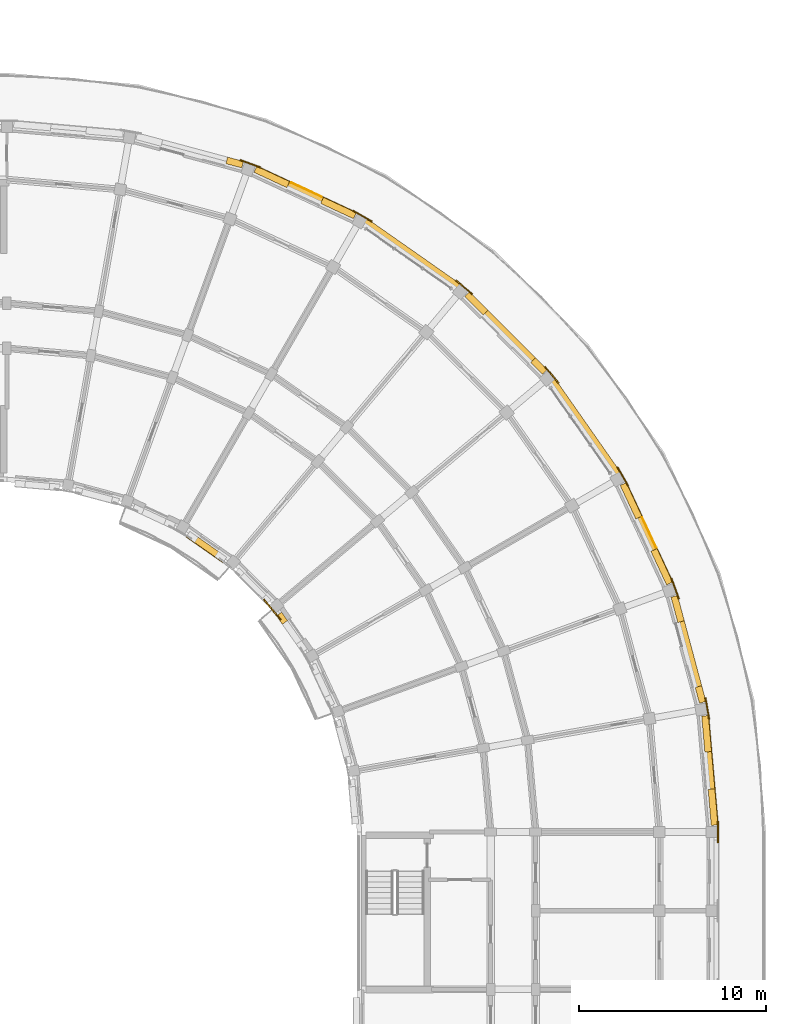
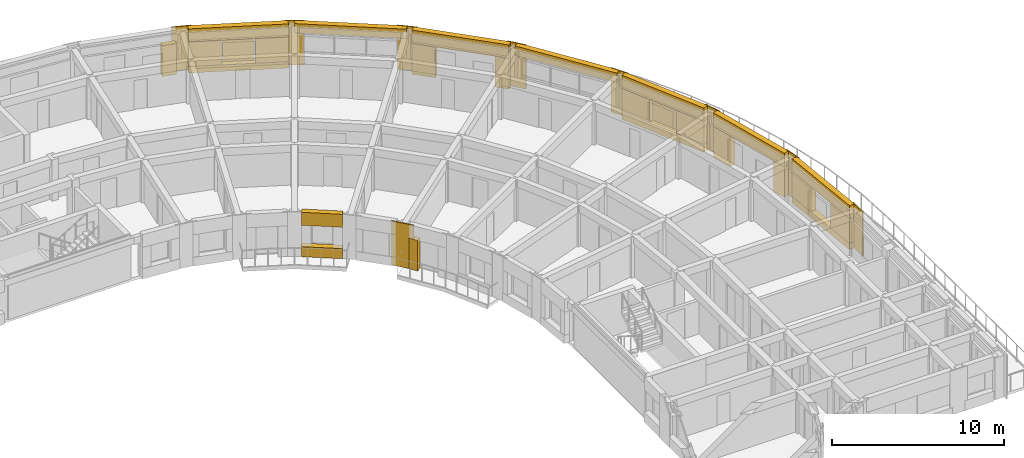
# One storey, part 36 of 36: 33 coverings, 2 shading devices.
"""IFC4 building model written with IfcOpenShell, lengths in metres."""

import ifcopenshell
import ifcopenshell.guid

model = None  # the IFC model being written
_history = None  # IfcOwnerHistory: only IFC2X3 demands one
_inside = {}  # id of a spatial element -> (the spatial element, [elements in it])
_under = {}  # id of a project, library or spatial element -> (it, [spatial elements below it])
_declared = {}  # id of a project -> (the project, [libraries it declares])
_typed = {}  # id of a type object -> (the type object, [elements of that type])
_made_of = {}  # id of a material, layer set ... -> (it, [elements and type objects made of it])


def new_model(schema):
    """Start an empty IFC model of exactly this schema.

    Asked for "IFC4X3", IfcOpenShell would pick the latest addendum, in which some entities
    have other attributes; the version numbers below select the first issue.
    IFC2X3 requires an IfcOwnerHistory on every rooted entity: one is made here for all.
    """
    global model, _history
    if schema == "IFC4X3":
        model = ifcopenshell.file(schema_version=(4, 3, 0, 0))
    else:
        model = ifcopenshell.file(schema=schema)
    _inside.clear()
    _under.clear()
    _declared.clear()
    _typed.clear()
    _made_of.clear()
    _history = None
    if model.schema == "IFC2X3":
        org = make("IfcOrganization", Name="unknown")
        user = make(
            "IfcPersonAndOrganization",
            ThePerson=make("IfcPerson", FamilyName="unknown"),
            TheOrganization=org,
        )
        app = make(
            "IfcApplication",
            ApplicationDeveloper=org,
            Version="unknown",
            ApplicationFullName="unknown",
            ApplicationIdentifier="unknown",
        )
        _history = make(
            "IfcOwnerHistory",
            OwningUser=user,
            OwningApplication=app,
            ChangeAction="ADDED",
            CreationDate=0,
        )
    return model


def make(cls, **values):
    """One entity of the class cls with the attributes given. An attribute that is None is left unset."""
    return model.create_entity(
        cls, **{name: value for name, value in values.items() if value is not None}
    )


def rooted(cls, **values):
    """An entity with a GlobalId (a new one), such as an element, a storey or a relation."""
    return make(cls, GlobalId=ifcopenshell.guid.new(), OwnerHistory=_history, **values)


def si_unit(unit_type, name, prefix=None):
    """IfcSIUnit, for example si_unit("LENGTHUNIT", "METRE", prefix="MILLI")."""
    return make("IfcSIUnit", UnitType=unit_type, Prefix=prefix, Name=name)


def assignment(units):
    """IfcUnitAssignment: the units of a project."""
    return None if units is None else make("IfcUnitAssignment", Units=units)


def point(xyz):
    """IfcCartesianPoint."""
    return None if xyz is None else make("IfcCartesianPoint", Coordinates=xyz)


def direction(xyz):
    """IfcDirection."""
    return None if xyz is None else make("IfcDirection", DirectionRatios=xyz)


def frame(location, z_axis=None, x_axis=None):
    """IfcAxis2Placement3D, a coordinate frame: its origin and axes. An axis left out is left unset."""
    return make(
        "IfcAxis2Placement3D",
        Location=point(location),
        Axis=direction(z_axis),
        RefDirection=direction(x_axis),
    )


def frame_2d(location, x_axis=None):
    """IfcAxis2Placement2D, a coordinate frame in the plane: its origin and x axis."""
    return make(
        "IfcAxis2Placement2D", Location=point(location), RefDirection=direction(x_axis)
    )


def origin():
    """The frame at (0, 0, 0) with its axes left unset."""
    return frame((0.0, 0.0, 0.0))


def origin_2d():
    """The frame at (0, 0) in the plane with its x axis left unset."""
    return frame_2d((0.0, 0.0))


def place(relative_to, where):
    """IfcLocalPlacement: puts the frame where relative to a parent placement (None: the world)."""
    return make(
        "IfcLocalPlacement", PlacementRelTo=relative_to, RelativePlacement=where
    )


def context(
    kind, dimensions, precision=None, world=None, true_north=None, identifier=None
):
    """IfcGeometricRepresentationContext, for example the 3D "Model" context."""
    return make(
        "IfcGeometricRepresentationContext",
        ContextIdentifier=identifier,
        ContextType=kind,
        CoordinateSpaceDimension=dimensions,
        Precision=precision,
        WorldCoordinateSystem=world,
        TrueNorth=true_north,
    )


def subcontext(parent, identifier, kind, view, scale=None):
    """IfcGeometricRepresentationSubContext, for example "Body" below "Model"."""
    return make(
        "IfcGeometricRepresentationSubContext",
        ContextIdentifier=identifier,
        ContextType=kind,
        ParentContext=parent,
        TargetScale=scale,
        TargetView=view,
    )


def project(units=None, contexts=None):
    """IfcProject with its units and contexts."""
    return rooted(
        "IfcProject",
        Name="project",
        RepresentationContexts=contexts,
        UnitsInContext=assignment(units),
    )


def spatial(cls, under=None, at=None, **own):
    """A site, building, storey or space (cls), placed at a placement, below another one or the project."""
    s = rooted(cls, ObjectPlacement=at, **own)
    if under is not None:
        _under.setdefault(under.id(), (under, []))[1].append(s)
    return s


def polyline(points):
    """IfcPolyline through the points."""
    return make("IfcPolyline", Points=[point(p) for p in points])


def profile(cls, at=None, kind="AREA", **sizes):
    """A parametric profile (cls). Its sizes go by their IFC names, for example OverallWidth=200.0."""
    return make(cls, ProfileType=kind, Position=at, **sizes)


def rectangle(**sizes):
    """IfcRectangleProfileDef."""
    return profile("IfcRectangleProfileDef", **sizes)


def outline(outer, holes=None, kind="AREA"):
    """IfcArbitraryClosedProfileDef: a profile drawn as a closed curve; with holes, ...WithVoids."""
    if holes is None:
        return make("IfcArbitraryClosedProfileDef", ProfileType=kind, OuterCurve=outer)
    return make(
        "IfcArbitraryProfileDefWithVoids",
        ProfileType=kind,
        OuterCurve=outer,
        InnerCurves=holes,
    )


def extrude(swept, where, along, depth):
    """IfcExtrudedAreaSolid: the profile swept, set in the frame where, extruded along a direction by depth."""
    return make(
        "IfcExtrudedAreaSolid",
        SweptArea=swept,
        Position=where,
        ExtrudedDirection=direction(along),
        Depth=depth,
    )


def shape(context_of_items, identifier, shape_type, items):
    """IfcShapeRepresentation: the items that make up one representation, for example the "Body"."""
    return make(
        "IfcShapeRepresentation",
        ContextOfItems=context_of_items,
        RepresentationIdentifier=identifier,
        RepresentationType=shape_type,
        Items=items,
    )


def material(Name=None, Category=None):
    """IfcMaterial."""
    return make("IfcMaterial", Name=Name, Category=Category)


def layer(
    of_material, thickness, ventilated=None, Name=None, Category=None, Priority=None
):
    """IfcMaterialLayer: one layer of a wall or slab, of a material (None: an air gap)."""
    return make(
        "IfcMaterialLayer",
        Material=of_material,
        LayerThickness=thickness,
        IsVentilated=ventilated,
        Name=Name,
        Category=Category,
        Priority=Priority,
    )


def layer_set(layers, Name=None):
    """IfcMaterialLayerSet."""
    return make("IfcMaterialLayerSet", MaterialLayers=layers, LayerSetName=Name)


def made_of(thing, what):
    """Note that an element or type object is made of a material, layer set ...; save() writes the relation."""
    if what is not None:
        _made_of.setdefault(what.id(), (what, []))[1].append(thing)
    return thing


def type_object(cls, material=None, **own):
    """A type object (cls), such as IfcWallType, which elements share."""
    return made_of(rooted(cls, **own), material)


def element(
    cls,
    number,
    at=None,
    inside=None,
    cuts=None,
    type_object=None,
    material=None,
    context=None,
    identifier="Body",
    shape_type=None,
    held_by="IfcProductDefinitionShape",
    body=None,
    shapes=None,
    **own,
):
    """One element of the class cls, such as IfcWall. Its Tag is "e" and its number.

    at: its placement. inside: the storey or other place that contains it. cuts: it is an
    opening in that element (IfcRelVoidsElement). A single representation is given by context,
    identifier, shape_type and body (its items); several are given by shapes. held_by: the class
    of the entity that holds the representations. save() writes the other relations.
    """
    e = rooted(cls, Tag="e%d" % number, ObjectPlacement=at, **own)
    if body is not None:
        shapes = [shape(context, identifier, shape_type, body)]
    if shapes is not None:
        e.Representation = make(held_by, Representations=shapes)
    if inside is not None:
        _inside.setdefault(inside.id(), (inside, []))[1].append(e)
    if cuts is not None:
        rooted(
            "IfcRelVoidsElement", RelatingBuildingElement=cuts, RelatedOpeningElement=e
        )
    if type_object is not None:
        _typed.setdefault(type_object.id(), (type_object, []))[1].append(e)
    return made_of(e, material)


def aggregate(whole, parts):
    """IfcRelAggregates: a whole, such as a stair, and the parts it consists of."""
    return rooted("IfcRelAggregates", RelatingObject=whole, RelatedObjects=parts)


def save(model, path):
    """Write the relations noted so far, then the file.

    IfcRelAggregates (storeys below a building ...), IfcRelContainedInSpatialStructure (elements
    in a storey), IfcRelDefinesByType, IfcRelAssociatesMaterial and IfcRelDeclares: one each for
    every whole, place, type object, material and project.
    """
    for whole, parts in _under.values():
        aggregate(whole, parts)
    for where, things in _inside.values():
        rooted(
            "IfcRelContainedInSpatialStructure",
            RelatedElements=things,
            RelatingStructure=where,
        )
    for kind, things in _typed.values():
        rooted("IfcRelDefinesByType", RelatedObjects=things, RelatingType=kind)
    for what, things in _made_of.values():
        rooted("IfcRelAssociatesMaterial", RelatedObjects=things, RelatingMaterial=what)
    for by, libraries in _declared.values():
        rooted("IfcRelDeclares", RelatingContext=by, RelatedDefinitions=libraries)
    model.write(path)


model = new_model("IFC4")

# Units and contexts
model_context = context("Model", 3, precision=1e-05, world=origin(), true_north=direction((0.0, 1.0)))
body_context = subcontext(model_context, "Body", "Model", "MODEL_VIEW")
ifc_project = project(units=[si_unit("LENGTHUNIT", "METRE"), si_unit("AREAUNIT", "SQUARE_METRE"), si_unit("VOLUMEUNIT", "CUBIC_METRE"), si_unit("PLANEANGLEUNIT", "RADIAN"), si_unit("MASSUNIT", "GRAM", prefix="KILO")], contexts=[model_context])

# Site, building, storey
site_placement = place(None, origin())
site = spatial("IfcSite", under=ifc_project, at=site_placement, CompositionType="ELEMENT")
building_placement = place(site_placement, origin())
building = spatial("IfcBuilding", under=site, at=building_placement, Name="Kiranvali Square Residences", CompositionType="ELEMENT")
storey_placement = place(building_placement, frame((0.0, 0.0, 37.050048828125)))
storey = spatial("IfcBuildingStorey", under=building, at=storey_placement, Name="L11", CompositionType="ELEMENT", Elevation=37.050048828125)

# Coverings
ifc_material_1 = material(Name="Honed Porbandar limestone ashlar facade cladding", Category="masonry")
ifc_layer_1 = layer(ifc_material_1, 0.3798828125)
ifc_layer_set_1 = layer_set([ifc_layer_1], Name="Honed Porbandar limestone ashlar facade cladding")
covering_type_1 = type_object("IfcCoveringType", Name="COV-CLAD-JAMB", PredefinedType="CLADDING", material=ifc_layer_set_1)
covering_1_placement = place(storey_placement, origin())
element("IfcCovering", 1, at=covering_1_placement, inside=storey, type_object=covering_type_1, Name="L11 deep limestone window jamb reveal B-L11-CRV-01.R", PredefinedType="CLADDING", context=body_context, shape_type="SweptSolid", body=[
    extrude(outline(polyline([(131.479736328125, 123.44921875), (132.322021484375, 123.223388671875), (132.4150390625, 123.57080078125), (131.57275390625, 123.79638671875), (131.479736328125, 123.44921875)])), origin(), (0.0, 0.0, 1.0), 2.179931640625),
])
covering_2_placement = place(storey_placement, frame((0.0, 0.0, 0.4619140625)))
element("IfcCovering", 2, at=covering_2_placement, inside=storey, type_object=covering_type_1, Name="L11 deep limestone window jamb reveal B-L11-CRV-02.L", PredefinedType="CLADDING", context=body_context, shape_type="SweptSolid", body=[
    extrude(outline(polyline([(132.977294921875, 122.98486328125), (134.723876953125, 122.170654296875), (134.875732421875, 122.496337890625), (133.12939453125, 123.310791015625), (132.977294921875, 122.98486328125)])), origin(), (0.0, 0.0, 1.0), 1.75),
])
covering_3_placement = place(storey_placement, frame((0.0, 0.0, 0.4619140625)))
element("IfcCovering", 3, at=covering_3_placement, inside=storey, type_object=covering_type_1, Name="L11 deep limestone window jamb reveal B-L11-CRV-02.R", PredefinedType="CLADDING", context=body_context, shape_type="SweptSolid", body=[
    extrude(outline(polyline([(136.53662109375, 121.325439453125), (138.282958984375, 120.510986328125), (138.434814453125, 120.836669921875), (136.6884765625, 121.651123046875), (136.53662109375, 121.325439453125)])), origin(), (0.0, 0.0, 1.0), 1.75),
])
covering_4_placement = place(storey_placement, origin())
element("IfcCovering", 4, at=covering_4_placement, inside=storey, type_object=covering_type_1, Name="L11 deep limestone window jamb reveal B-L11-CRV-04.L", PredefinedType="CLADDING", context=body_context, shape_type="SweptSolid", body=[
    extrude(outline(polyline([(144.216552734375, 116.356201171875), (145.205810546875, 115.366943359375), (145.4599609375, 115.62109375), (144.470947265625, 116.6103515625), (144.216552734375, 116.356201171875)])), origin(), (0.0, 0.0, 1.0), 2.179931640625),
])
covering_5_placement = place(storey_placement, origin())
element("IfcCovering", 5, at=covering_5_placement, inside=storey, type_object=covering_type_1, Name="L11 deep limestone window jamb reveal B-L11-CRV-04.R", PredefinedType="CLADDING", context=body_context, shape_type="SweptSolid", body=[
    extrude(outline(polyline([(147.739501953125, 112.833251953125), (148.356201171875, 112.216552734375), (148.6103515625, 112.470947265625), (147.99365234375, 113.08740234375), (147.739501953125, 112.833251953125)])), origin(), (0.0, 0.0, 1.0), 2.179931640625),
])
covering_6_placement = place(storey_placement, frame((0.0, 0.0, 0.56201171875)))
element("IfcCovering", 6, at=covering_6_placement, inside=storey, type_object=covering_type_1, Name="L11 deep limestone window jamb reveal B-L11-CRV-06.L", PredefinedType="CLADDING", context=body_context, shape_type="SweptSolid", body=[
    extrude(outline(polyline([(152.510986328125, 106.282958984375), (153.346435546875, 104.4912109375), (153.67236328125, 104.64306640625), (152.836669921875, 106.434814453125), (152.510986328125, 106.282958984375)])), origin(), (0.0, 0.0, 1.0), 1.64990234375),
])
covering_7_placement = place(storey_placement, frame((0.0, 0.0, 0.56201171875)))
element("IfcCovering", 7, at=covering_7_placement, inside=storey, type_object=covering_type_1, Name="L11 deep limestone window jamb reveal B-L11-CRV-06.R", PredefinedType="CLADDING", context=body_context, shape_type="SweptSolid", body=[
    extrude(outline(polyline([(154.1494140625, 102.769287109375), (154.98486328125, 100.977294921875), (155.310791015625, 101.12939453125), (154.475341796875, 102.921142578125), (154.1494140625, 102.769287109375)])), origin(), (0.0, 0.0, 1.0), 1.64990234375),
])
covering_8_placement = place(storey_placement, origin())
element("IfcCovering", 8, at=covering_8_placement, inside=storey, type_object=covering_type_1, Name="L11 deep limestone window jamb reveal B-L11-CRV-07.L", PredefinedType="CLADDING", context=body_context, shape_type="SweptSolid", body=[
    extrude(outline(polyline([(155.223388671875, 100.322021484375), (155.585693359375, 98.970703125), (155.932861328125, 99.063720703125), (155.57080078125, 100.4150390625), (155.223388671875, 100.322021484375)])), origin(), (0.0, 0.0, 1.0), 2.179931640625),
])
covering_9_placement = place(storey_placement, origin())
element("IfcCovering", 9, at=covering_9_placement, inside=storey, type_object=covering_type_1, Name="L11 deep limestone window jamb reveal B-L11-CRV-07.R", PredefinedType="CLADDING", context=body_context, shape_type="SweptSolid", body=[
    extrude(outline(polyline([(156.512939453125, 95.509765625), (156.73876953125, 94.66748046875), (157.0859375, 94.760498046875), (156.860107421875, 95.602783203125), (156.512939453125, 95.509765625)])), origin(), (0.0, 0.0, 1.0), 2.179931640625),
])
covering_10_placement = place(storey_placement, frame((0.0, 0.0, 0.4619140625)))
element("IfcCovering", 10, at=covering_10_placement, inside=storey, type_object=covering_type_1, Name="L11 deep limestone window jamb reveal B-L11-CRV-08.L", PredefinedType="CLADDING", context=body_context, shape_type="SweptSolid", body=[
    extrude(outline(polyline([(156.85986328125, 93.98046875), (157.02783203125, 92.060791015625), (157.3857421875, 92.092041015625), (157.218017578125, 94.011962890625), (156.85986328125, 93.98046875)])), origin(), (0.0, 0.0, 1.0), 1.75),
])
covering_11_placement = place(storey_placement, frame((0.0, 0.0, 0.4619140625)))
element("IfcCovering", 11, at=covering_11_placement, inside=storey, type_object=covering_type_1, Name="L11 deep limestone window jamb reveal B-L11-CRV-08.R", PredefinedType="CLADDING", context=body_context, shape_type="SweptSolid", body=[
    extrude(outline(polyline([(157.2021484375, 90.068359375), (157.369873046875, 88.148681640625), (157.72802734375, 88.179931640625), (157.56005859375, 90.099853515625), (157.2021484375, 90.068359375)])), origin(), (0.0, 0.0, 1.0), 1.75),
])
covering_12_placement = place(storey_placement, origin())
element("IfcCovering", 12, at=covering_12_placement, inside=storey, type_object=covering_type_1, Name="L11 deep limestone window jamb reveal B-L11-GDN-05.L", PredefinedType="CLADDING", context=body_context, shape_type="SweptSolid", body=[
    extrude(outline(polyline([(134.175537109375, 99.328857421875), (134.490234375, 98.879638671875), (134.768310546875, 99.074462890625), (134.45361328125, 99.523681640625), (134.175537109375, 99.328857421875)])), origin(), (0.0, 0.0, 1.0), 2.179931640625),
])
ifc_layer_2 = layer(ifc_material_1, 0.06494140625)
ifc_layer_set_2 = layer_set([ifc_layer_2], Name="Honed Porbandar limestone ashlar facade cladding")
covering_type_2 = type_object("IfcCoveringType", Name="COV-CLAD-PIER", PredefinedType="CLADDING", material=ifc_layer_set_2)
covering_13_placement = place(storey_placement, frame((0.0, 0.0, 0.0048828125)))
element("IfcCovering", 13, at=covering_13_placement, inside=storey, type_object=covering_type_2, Name="L11 Classical limestone corner pilaster CLAD-PR-B-L11-A02", PredefinedType="CLADDING", context=body_context, shape_type="SweptSolid", body=[
    extrude(outline(polyline([(133.330810546875, 123.27978515625), (132.24072265625, 123.676513671875), (132.2177734375, 123.61328125), (133.307861328125, 123.216552734375), (133.330810546875, 123.27978515625)])), origin(), (0.0, 0.0, 1.0), 3.14013671875),
])
covering_14_placement = place(storey_placement, frame((0.0, 0.0, 0.0048828125)))
element("IfcCovering", 14, at=covering_14_placement, inside=storey, type_object=covering_type_2, Name="L11 Classical limestone corner pilaster CLAD-PR-B-L11-A03", PredefinedType="CLADDING", context=body_context, shape_type="SweptSolid", body=[
    extrude(outline(polyline([(139.286376953125, 120.391357421875), (138.28173828125, 120.97119140625), (138.248046875, 120.912841796875), (139.25244140625, 120.332763671875), (139.286376953125, 120.391357421875)])), origin(), (0.0, 0.0, 1.0), 3.14013671875),
])
covering_15_placement = place(storey_placement, frame((0.0, 0.0, 0.0048828125)))
element("IfcCovering", 15, at=covering_15_placement, inside=storey, type_object=covering_type_2, Name="L11 Classical limestone corner pilaster CLAD-PR-B-L11-A04", PredefinedType="CLADDING", context=body_context, shape_type="SweptSolid", body=[
    extrude(outline(polyline([(144.649658203125, 116.512451171875), (143.760986328125, 117.258056640625), (143.7177734375, 117.206298828125), (144.606201171875, 116.460693359375), (144.649658203125, 116.512451171875)])), origin(), (0.0, 0.0, 1.0), 3.14013671875),
])
covering_16_placement = place(storey_placement, frame((0.0, 0.0, 0.0048828125)))
element("IfcCovering", 16, at=covering_16_placement, inside=storey, type_object=covering_type_2, Name="L11 Classical limestone corner pilaster CLAD-PR-B-L11-A05", PredefinedType="CLADDING", context=body_context, shape_type="SweptSolid", body=[
    extrude(outline(polyline([(149.258056640625, 111.760986328125), (148.512451171875, 112.649658203125), (148.460693359375, 112.606201171875), (149.206298828125, 111.7177734375), (149.258056640625, 111.760986328125)])), origin(), (0.0, 0.0, 1.0), 3.14013671875),
])
covering_17_placement = place(storey_placement, frame((0.0, 0.0, 0.0048828125)))
element("IfcCovering", 17, at=covering_17_placement, inside=storey, type_object=covering_type_2, Name="L11 Classical limestone corner pilaster CLAD-PR-B-L11-A06", PredefinedType="CLADDING", context=body_context, shape_type="SweptSolid", body=[
    extrude(outline(polyline([(152.97119140625, 106.28173828125), (152.391357421875, 107.286376953125), (152.332763671875, 107.25244140625), (152.912841796875, 106.248046875), (152.97119140625, 106.28173828125)])), origin(), (0.0, 0.0, 1.0), 3.14013671875),
])
covering_18_placement = place(storey_placement, frame((0.0, 0.0, 0.0048828125)))
element("IfcCovering", 18, at=covering_18_placement, inside=storey, type_object=covering_type_2, Name="L11 Classical limestone corner pilaster CLAD-PR-B-L11-A07", PredefinedType="CLADDING", context=body_context, shape_type="SweptSolid", body=[
    extrude(outline(polyline([(155.676513671875, 100.24072265625), (155.27978515625, 101.330810546875), (155.216552734375, 101.307861328125), (155.61328125, 100.2177734375), (155.676513671875, 100.24072265625)])), origin(), (0.0, 0.0, 1.0), 3.14013671875),
])
covering_19_placement = place(storey_placement, frame((0.0, 0.0, 0.0048828125)))
element("IfcCovering", 19, at=covering_19_placement, inside=storey, type_object=covering_type_2, Name="L11 Classical limestone corner pilaster CLAD-PR-B-L11-A08", PredefinedType="CLADDING", context=body_context, shape_type="SweptSolid", body=[
    extrude(outline(polyline([(157.2919921875, 93.82177734375), (157.090576171875, 94.96435546875), (157.02392578125, 94.95263671875), (157.225341796875, 93.81005859375), (157.2919921875, 93.82177734375)])), origin(), (0.0, 0.0, 1.0), 3.14013671875),
])
covering_20_placement = place(storey_placement, frame((0.0, 0.0, 0.0048828125)))
element("IfcCovering", 20, at=covering_20_placement, inside=storey, type_object=covering_type_2, Name="L11 Classical limestone corner pilaster CLAD-PR-B-L11-A09", PredefinedType="CLADDING", context=body_context, shape_type="SweptSolid", body=[
    extrude(outline(polyline([(157.76806640625, 87.219970703125), (157.76806640625, 88.3798828125), (157.700439453125, 88.3798828125), (157.700439453125, 87.219970703125), (157.76806640625, 87.219970703125)])), origin(), (0.0, 0.0, 1.0), 3.14013671875),
])
ifc_layer_3 = layer(ifc_material_1, 0.050048828125)
ifc_layer_set_3 = layer_set([ifc_layer_3], Name="Honed Porbandar limestone ashlar facade cladding")
covering_type_3 = type_object("IfcCoveringType", Name="COV-CLAD-PIER-IN", PredefinedType="CLADDING", material=ifc_layer_set_3)
covering_21_placement = place(storey_placement, frame((0.0, 0.0, 0.0048828125)))
element("IfcCovering", 21, at=covering_21_placement, inside=storey, type_object=covering_type_3, Name="L11 Classical garden courtyard pilaster CLAD-PRIN-B-L11-A05", PredefinedType="CLADDING", context=body_context, shape_type="SweptSolid", body=[
    extrude(outline(polyline([(133.4697265625, 100.18408203125), (134.36962890625, 99.111572265625), (134.42138671875, 99.155029296875), (133.521484375, 100.2275390625), (133.4697265625, 100.18408203125)])), origin(), (0.0, 0.0, 1.0), 3.14013671875),
])
ifc_layer_4 = layer(ifc_material_1, 0.360107421875)
ifc_layer_set_4 = layer_set([ifc_layer_4], Name="Honed Porbandar limestone ashlar facade cladding")
covering_type_4 = type_object("IfcCoveringType", Name="COV-CLAD-WALL", PredefinedType="CLADDING", material=ifc_layer_set_4)
covering_22_placement = place(storey_placement, frame((0.0, 0.0, 2.2119140625)))
element("IfcCovering", 22, at=covering_22_placement, inside=storey, type_object=covering_type_4, Name="L11 light limestone spandrel lintel B-L11-CRV-02", PredefinedType="CLADDING", context=body_context, shape_type="SweptSolid", body=[
    extrude(outline(polyline([(132.977294921875, 122.98486328125), (138.282958984375, 120.510986328125), (138.434814453125, 120.836669921875), (133.12939453125, 123.310791015625), (132.977294921875, 122.98486328125)])), origin(), (0.0, 0.0, 1.0), 0.93310546875),
])
covering_23_placement = place(storey_placement, frame((0.0, 0.0, 2.47998046875)))
element("IfcCovering", 23, at=covering_23_placement, inside=storey, type_object=covering_type_4, Name="Block B L11 limestone terrace header 4", PredefinedType="CLADDING", context=body_context, shape_type="SweptSolid", body=[
    extrude(outline(polyline([(138.60107421875, 120.3642578125), (143.969970703125, 116.60498046875), (144.17529296875, 116.898193359375), (138.806396484375, 120.657470703125), (138.60107421875, 120.3642578125)])), origin(), (0.0, 0.0, 1.0), 0.6650390625),
])
covering_24_placement = place(storey_placement, frame((0.0, 0.0, 2.179931640625)))
element("IfcCovering", 24, at=covering_24_placement, inside=storey, type_object=covering_type_4, Name="L11 light limestone spandrel lintel B-L11-CRV-04", PredefinedType="CLADDING", context=body_context, shape_type="SweptSolid", body=[
    extrude(outline(polyline([(144.216552734375, 116.356201171875), (148.356201171875, 112.216552734375), (148.6103515625, 112.470947265625), (144.470947265625, 116.6103515625), (144.216552734375, 116.356201171875)])), origin(), (0.0, 0.0, 1.0), 0.965087890625),
])
covering_25_placement = place(storey_placement, frame((0.0, 0.0, 2.47998046875)))
element("IfcCovering", 25, at=covering_25_placement, inside=storey, type_object=covering_type_4, Name="Block B L11 limestone terrace header 6", PredefinedType="CLADDING", context=body_context, shape_type="SweptSolid", body=[
    extrude(outline(polyline([(148.60498046875, 111.969970703125), (152.3642578125, 106.60107421875), (152.657470703125, 106.806396484375), (148.898193359375, 112.17529296875), (148.60498046875, 111.969970703125)])), origin(), (0.0, 0.0, 1.0), 0.6650390625),
])
covering_26_placement = place(storey_placement, frame((0.0, 0.0, 2.2119140625)))
element("IfcCovering", 26, at=covering_26_placement, inside=storey, type_object=covering_type_4, Name="L11 light limestone spandrel lintel B-L11-CRV-06", PredefinedType="CLADDING", context=body_context, shape_type="SweptSolid", body=[
    extrude(outline(polyline([(152.510986328125, 106.282958984375), (154.98486328125, 100.977294921875), (155.310791015625, 101.12939453125), (152.836669921875, 106.434814453125), (152.510986328125, 106.282958984375)])), origin(), (0.0, 0.0, 1.0), 0.93310546875),
])
covering_27_placement = place(storey_placement, frame((0.0, 0.0, 2.179931640625)))
element("IfcCovering", 27, at=covering_27_placement, inside=storey, type_object=covering_type_4, Name="L11 light limestone spandrel lintel B-L11-CRV-07", PredefinedType="CLADDING", context=body_context, shape_type="SweptSolid", body=[
    extrude(outline(polyline([(155.223388671875, 100.322021484375), (156.73876953125, 94.66748046875), (157.0859375, 94.760498046875), (155.57080078125, 100.4150390625), (155.223388671875, 100.322021484375)])), origin(), (0.0, 0.0, 1.0), 0.965087890625),
])
covering_28_placement = place(storey_placement, frame((0.0, 0.0, 2.2119140625)))
element("IfcCovering", 28, at=covering_28_placement, inside=storey, type_object=covering_type_4, Name="L11 light limestone spandrel lintel B-L11-CRV-08", PredefinedType="CLADDING", context=body_context, shape_type="SweptSolid", body=[
    extrude(outline(polyline([(156.85986328125, 93.98046875), (157.369873046875, 88.148681640625), (157.72802734375, 88.179931640625), (157.218017578125, 94.011962890625), (156.85986328125, 93.98046875)])), origin(), (0.0, 0.0, 1.0), 0.93310546875),
])
covering_29_placement = place(storey_placement, frame((0.0, 0.0, 2.221923828125)))
element("IfcCovering", 29, at=covering_29_placement, inside=storey, type_object=covering_type_4, Name="L11 light limestone spandrel lintel B-L11-GDN-03", PredefinedType="CLADDING", context=body_context, shape_type="SweptSolid", body=[
    extrude(outline(polyline([(129.365478515625, 103.55029296875), (131.328857421875, 102.175537109375), (131.523681640625, 102.45361328125), (129.56005859375, 103.828369140625), (129.365478515625, 103.55029296875)])), origin(), (0.0, 0.0, 1.0), 0.923095703125),
])
ifc_layer_5 = layer(ifc_material_1, 0.320068359375)
ifc_layer_set_5 = layer_set([ifc_layer_5], Name="Honed Porbandar limestone ashlar facade cladding")
covering_type_5 = type_object("IfcCoveringType", Name="COV-CLAD-WALL-UP", PredefinedType="CLADDING", material=ifc_layer_set_5)
covering_30_placement = place(storey_placement, frame((0.0, 0.0, 0.0048828125)))
element("IfcCovering", 30, at=covering_30_placement, inside=storey, type_object=covering_type_5, Name="L11 limestone window sill apron B-L11-CRV-02", PredefinedType="CLADDING", context=body_context, shape_type="SweptSolid", body=[
    extrude(outline(polyline([(132.977294921875, 122.98486328125), (138.282958984375, 120.510986328125), (138.447509765625, 120.864013671875), (133.14208984375, 123.337890625), (132.977294921875, 122.98486328125)])), origin(), (0.0, 0.0, 1.0), 0.45703125),
])
covering_31_placement = place(storey_placement, frame((0.0, 0.0, 0.0048828125)))
element("IfcCovering", 31, at=covering_31_placement, inside=storey, type_object=covering_type_5, Name="L11 limestone window sill apron B-L11-CRV-06", PredefinedType="CLADDING", context=body_context, shape_type="SweptSolid", body=[
    extrude(outline(polyline([(152.510986328125, 106.282958984375), (154.98486328125, 100.977294921875), (155.337890625, 101.14208984375), (152.864013671875, 106.447509765625), (152.510986328125, 106.282958984375)])), origin(), (0.0, 0.0, 1.0), 0.55712890625),
])
covering_32_placement = place(storey_placement, frame((0.0, 0.0, 0.0048828125)))
element("IfcCovering", 32, at=covering_32_placement, inside=storey, type_object=covering_type_5, Name="L11 limestone window sill apron B-L11-CRV-08", PredefinedType="CLADDING", context=body_context, shape_type="SweptSolid", body=[
    extrude(outline(polyline([(156.85986328125, 93.98046875), (157.369873046875, 88.148681640625), (157.758056640625, 88.1826171875), (157.247802734375, 94.014404296875), (156.85986328125, 93.98046875)])), origin(), (0.0, 0.0, 1.0), 0.45703125),
])
covering_33_placement = place(storey_placement, frame((0.0, 0.0, 0.0048828125)))
element("IfcCovering", 33, at=covering_33_placement, inside=storey, type_object=covering_type_5, Name="L11 limestone window sill apron B-L11-GDN-03", PredefinedType="CLADDING", context=body_context, shape_type="SweptSolid", body=[
    extrude(outline(polyline([(129.34814453125, 103.52587890625), (131.311767578125, 102.15087890625), (131.523681640625, 102.45361328125), (129.56005859375, 103.828369140625), (129.34814453125, 103.52587890625)])), origin(), (0.0, 0.0, 1.0), 0.717041015625),
])

# Shading devices
ifc_material_2 = material(Name="Pierced buff sandstone architectural mashrabiya solar screen", Category="masonry")
shading_device_type = type_object("IfcShadingDeviceType", Name="SHD-JALI-1800", PredefinedType="JALOUSIE", material=ifc_material_2)
shading_device_1_placement = place(storey_placement, frame((135.773681640625, 122.0556640625, 0.4619140625), z_axis=(0.0, 0.0, 1.0), x_axis=(0.906307787037, -0.422618261741, 0.0)))
element("IfcShadingDevice", 34, at=shading_device_1_placement, inside=storey, type_object=shading_device_type, Name="L11 carved stone Mashrabiya screen B-L11-CRV-02", PredefinedType="JALOUSIE", context=body_context, shape_type="SweptSolid", body=[
    extrude(rectangle(XDim=1.800048828125, YDim=0.044921875, at=origin_2d()), origin(), (0.0, 0.0, 1.0), 1.75),
])
shading_device_2_placement = place(storey_placement, frame((154.0556640625, 103.773681640625, 0.56201171875), z_axis=(0.0, 0.0, 1.0), x_axis=(0.422618261741, -0.906307787037, 0.0)))
element("IfcShadingDevice", 35, at=shading_device_2_placement, inside=storey, type_object=shading_device_type, Name="L11 carved stone Mashrabiya screen B-L11-CRV-06", PredefinedType="JALOUSIE", context=body_context, shape_type="SweptSolid", body=[
    extrude(rectangle(XDim=1.800048828125, YDim=0.044921875, at=origin_2d()), origin(), (0.0, 0.0, 1.0), 1.64990234375),
])

save(model, "model.ifc")
